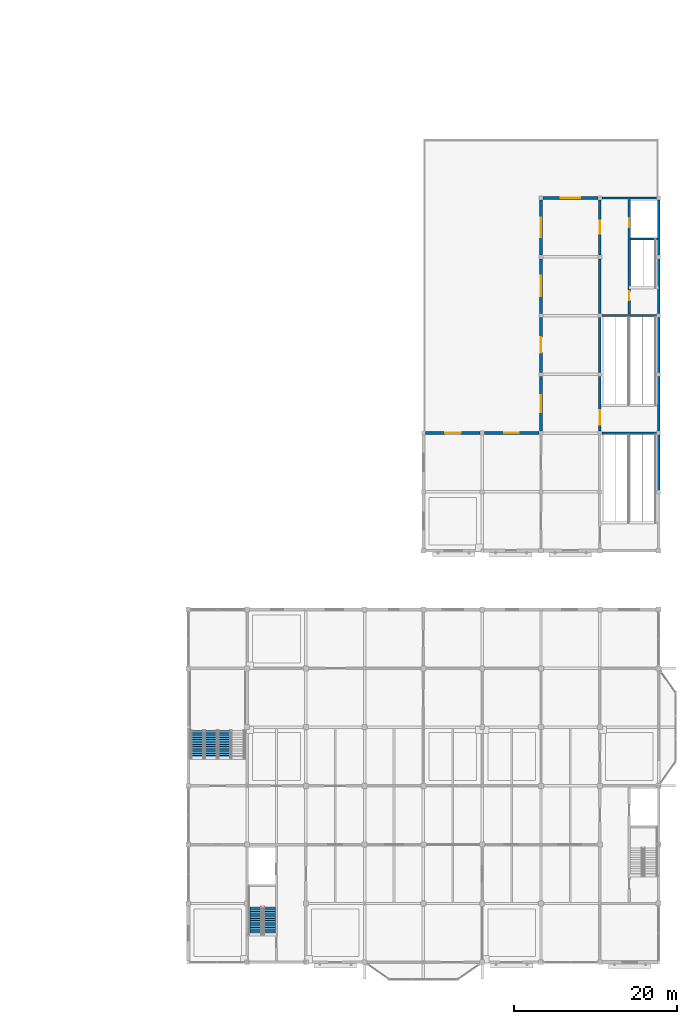
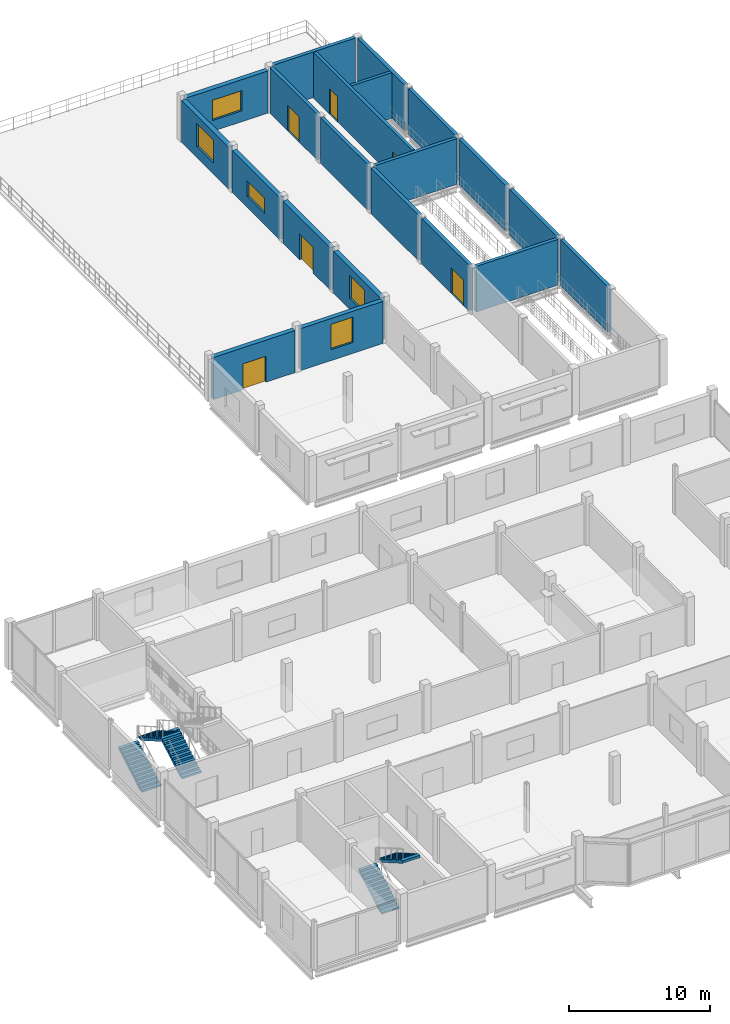
# One storey, part 40 of 51: 21 walls, 6 doors, 5 stair flights, 5 windows, 11 openings, 3 elements without a shape of their own.
"""IFC4 building model written with IfcOpenShell, lengths in metres."""

from ifc_helpers import new_model, si_unit, direction, frame, frame_2d, origin, place, context, subcontext, project, spatial, polyline, rectangle, outline, extrude, material, layer, layer_set, type_object, element, fill, aggregate, save


model = new_model("IFC4")

# Units and contexts
model_context = context("Model", 3, precision=1e-05, world=origin(), true_north=direction((0.0, 1.0)))
body_context = subcontext(model_context, "Body", "Model", "MODEL_VIEW")
ifc_project = project(units=[si_unit("LENGTHUNIT", "METRE"), si_unit("AREAUNIT", "SQUARE_METRE"), si_unit("VOLUMEUNIT", "CUBIC_METRE"), si_unit("PLANEANGLEUNIT", "RADIAN"), si_unit("MASSUNIT", "GRAM", prefix="KILO")], contexts=[model_context])

# Site, building, storey
site_placement = place(None, origin())
site = spatial("IfcSite", under=ifc_project, at=site_placement, CompositionType="ELEMENT")
building_placement = place(site_placement, origin())
building = spatial("IfcBuilding", under=site, at=building_placement, Name="Vesperath Aquatics Centre", CompositionType="ELEMENT")
storey_placement = place(building_placement, frame((0.0, 0.0, 15.0)))
storey = spatial("IfcBuildingStorey", under=building, at=storey_placement, Name="L03", CompositionType="ELEMENT", Elevation=15.0)

# Wall, opening, door
ifc_material_1 = material(Name="Red-terracotta brick insulated cavity wall", Category="masonry")
ifc_layer_1 = layer(ifc_material_1, 0.3798828125)
ifc_layer_set_1 = layer_set([ifc_layer_1], Name="Red-terracotta brick insulated cavity wall")
wall_type_1 = type_object("IfcWallType", Name="WL-EW02", PredefinedType="SOLIDWALL", material=ifc_layer_set_1)
wall_1_placement = place(storey_placement, frame((144.25, 64.800048828125, 0.0), z_axis=(0.0, 0.0, 1.0), x_axis=(1.0, 0.0, 0.0)))
wall_1 = element("IfcWall", 1, at=wall_1_placement, inside=storey, type_object=wall_type_1, Name="Exterior Wall EW02 L03_N_20_09", PredefinedType="SOLIDWALL", context=body_context, shape_type="SweptSolid", body=[
    extrude(rectangle(XDim=6.699951171875, YDim=0.3798828125, at=frame_2d((3.35009765625, 0.0))), origin(), (0.0, 0.0, 1.0), 3.64990234375),
])
opening_1_placement = place(wall_1_placement, frame((2.39990234375, 0.0, 0.0)))
opening_1 = element("IfcOpeningElement", 2, at=opening_1_placement, cuts=wall_1, Name="Opening TRD1", PredefinedType="OPENING", context=body_context, shape_type="SweptSolid", body=[
    extrude(rectangle(XDim=1.89990234375, YDim=2.25, at=frame_2d((0.949951171875, 1.125))), frame((0.0, 0.204833984375, 0.0), z_axis=(0.0, -1.0, 0.0), x_axis=(1.0, 0.0, 0.0)), (0.0, 0.0, 1.0), 0.40966796875),
])
ifc_material_2 = material(Name="Thermally broken bronze-anodised glazed aluminium door", Category="aluminium")
door_type_1 = type_object("IfcDoorType", Name="DR-TR01", OperationType="DOUBLE_SWING_LEFT", PredefinedType="DOOR", material=ifc_material_2)
door_1_placement = place(opening_1_placement, origin())
door_1 = element("IfcDoor", 3, at=door_1_placement, inside=storey, type_object=door_type_1, Name="Roof Terrace Access Door TRD1 L03_N_20_09", OperationType="DOUBLE_SWING_LEFT", OverallHeight=2.25, OverallWidth=1.89990234375, PredefinedType="DOOR", context=body_context, shape_type="SweptSolid", body=[
    extrude(rectangle(XDim=1.89990234375, YDim=2.25, at=frame_2d((0.949951171875, 1.125))), frame((0.0, 0.02490234375, 0.0), z_axis=(0.0, -1.0, 0.0), x_axis=(1.0, 0.0, 0.0)), (0.0, 0.0, 1.0), 0.050048828125),
])
fill(opening_1, door_1)

# Wall, opening, window
wall_2_placement = place(storey_placement, frame((158.64990234375, 93.60009765625, 0.0), z_axis=(0.0, 0.0, 1.0), x_axis=(1.0, 0.0, 0.0)))
wall_2 = element("IfcWall", 4, at=wall_2_placement, inside=storey, type_object=wall_type_1, Name="Exterior Wall EW02 L03_N_22_13", PredefinedType="SOLIDWALL", context=body_context, shape_type="SweptSolid", body=[
    extrude(rectangle(XDim=6.7001953125, YDim=0.3798828125, at=frame_2d((3.35009765625, 0.0))), origin(), (0.0, 0.0, 1.0), 3.64990234375),
])
opening_2_placement = place(wall_2_placement, frame((2.14990234375, 0.0, 0.949951171875)))
opening_2 = element("IfcOpeningElement", 5, at=opening_2_placement, cuts=wall_2, Name="Opening W10", PredefinedType="OPENING", context=body_context, shape_type="SweptSolid", body=[
    extrude(rectangle(XDim=2.39990234375, YDim=1.75, at=frame_2d((1.199951171875, 0.875))), frame((0.0, 0.204833984375, 0.0), z_axis=(0.0, -1.0, 0.0), x_axis=(1.0, 0.0, 0.0)), (0.0, 0.0, 1.0), 0.40966796875),
])
ifc_material_3 = material(Name="Thermally broken aluminium triple-glazed window", Category="aluminium")
window_type_1 = type_object("IfcWindowType", Name="WN-W10", PartitioningType="SINGLE_PANEL", PredefinedType="WINDOW", material=ifc_material_3)
window_1_placement = place(opening_2_placement, origin())
window_1 = element("IfcWindow", 6, at=window_1_placement, inside=storey, type_object=window_type_1, Name="Deep-Reveal Casement Window W10 L03_N_22_13", OverallHeight=1.75, OverallWidth=2.39990234375, PartitioningType="SINGLE_PANEL", PredefinedType="WINDOW", context=body_context, shape_type="SweptSolid", body=[
    extrude(rectangle(XDim=2.39990234375, YDim=1.75, at=frame_2d((1.199951171875, 0.875))), frame((0.0, 0.030029296875, 0.0), z_axis=(0.0, -1.0, 0.0), x_axis=(1.0, 0.0, 0.0)), (0.0, 0.0, 1.0), 0.06005859375),
])
fill(opening_2, window_1)

wall_3_placement = place(storey_placement, frame((158.39990234375, 65.050048828125, 0.0), z_axis=(0.0, 0.0, 1.0), x_axis=(0.0, 1.0, 0.0)))
wall_3 = element("IfcWall", 7, at=wall_3_placement, inside=storey, type_object=wall_type_1, Name="Exterior Wall EW02 L03_W_22_09", PredefinedType="SOLIDWALL", context=body_context, shape_type="SweptSolid", body=[
    extrude(rectangle(XDim=6.699951171875, YDim=0.3798828125, at=frame_2d((3.35009765625, 0.0))), origin(), (0.0, 0.0, 1.0), 3.64990234375),
])
opening_3_placement = place(wall_3_placement, frame((2.300048828125, 0.0, 0.949951171875)))
opening_3 = element("IfcOpeningElement", 8, at=opening_3_placement, cuts=wall_3, Name="Opening W06", PredefinedType="OPENING", context=body_context, shape_type="SweptSolid", body=[
    extrude(rectangle(XDim=2.10009765625, YDim=2.0, at=frame_2d((1.050048828125, 1.0))), frame((0.0, 0.204833984375, 0.0), z_axis=(0.0, -1.0, 0.0), x_axis=(1.0, 0.0, 0.0)), (0.0, 0.0, 1.0), 0.40966796875),
])
window_type_2 = type_object("IfcWindowType", Name="WN-W06", PartitioningType="SINGLE_PANEL", PredefinedType="WINDOW", material=ifc_material_3)
window_2_placement = place(opening_3_placement, origin())
window_2 = element("IfcWindow", 9, at=window_2_placement, inside=storey, type_object=window_type_2, Name="Deep-Reveal Casement Window W06 L03_W_22_09", OverallHeight=2.0, OverallWidth=2.10009765625, PartitioningType="SINGLE_PANEL", PredefinedType="WINDOW", context=body_context, shape_type="SweptSolid", body=[
    extrude(rectangle(XDim=2.10009765625, YDim=2.0, at=frame_2d((1.050048828125, 1.0))), frame((0.0, 0.030029296875, 0.0), z_axis=(0.0, -1.0, 0.0), x_axis=(1.0, 0.0, 0.0)), (0.0, 0.0, 1.0), 0.06005859375),
])
fill(opening_3, window_2)

# Wall, opening, door
wall_4_placement = place(storey_placement, frame((158.39990234375, 72.25, 0.0), z_axis=(0.0, 0.0, 1.0), x_axis=(0.0, 1.0, 0.0)))
wall_4 = element("IfcWall", 10, at=wall_4_placement, inside=storey, type_object=wall_type_1, Name="Exterior Wall EW02 L03_W_22_10", PredefinedType="SOLIDWALL", context=body_context, shape_type="SweptSolid", body=[
    extrude(rectangle(XDim=6.699951171875, YDim=0.3798828125, at=frame_2d((3.35009765625, 0.0))), origin(), (0.0, 0.0, 1.0), 3.64990234375),
])
opening_4_placement = place(wall_4_placement, frame((2.39990234375, 0.0, 0.0)))
opening_4 = element("IfcOpeningElement", 11, at=opening_4_placement, cuts=wall_4, Name="Opening TRD1", PredefinedType="OPENING", context=body_context, shape_type="SweptSolid", body=[
    extrude(rectangle(XDim=1.89990234375, YDim=2.25, at=frame_2d((0.949951171875, 1.125))), frame((0.0, 0.204833984375, 0.0), z_axis=(0.0, -1.0, 0.0), x_axis=(1.0, 0.0, 0.0)), (0.0, 0.0, 1.0), 0.40966796875),
])
door_2_placement = place(opening_4_placement, origin())
door_2 = element("IfcDoor", 12, at=door_2_placement, inside=storey, type_object=door_type_1, Name="Roof Terrace Access Door TRD1 L03_W_22_10", OperationType="DOUBLE_SWING_LEFT", OverallHeight=2.25, OverallWidth=1.89990234375, PredefinedType="DOOR", context=body_context, shape_type="SweptSolid", body=[
    extrude(rectangle(XDim=1.89990234375, YDim=2.25, at=frame_2d((0.949951171875, 1.125))), frame((0.0, 0.02490234375, 0.0), z_axis=(0.0, -1.0, 0.0), x_axis=(1.0, 0.0, 0.0)), (0.0, 0.0, 1.0), 0.050048828125),
])
fill(opening_4, door_2)

# Wall, opening, window
wall_5_placement = place(storey_placement, frame((158.39990234375, 86.64990234375, 0.0), z_axis=(0.0, 0.0, 1.0), x_axis=(0.0, 1.0, 0.0)))
wall_5 = element("IfcWall", 13, at=wall_5_placement, inside=storey, type_object=wall_type_1, Name="Exterior Wall EW02 L03_W_22_12", PredefinedType="SOLIDWALL", context=body_context, shape_type="SweptSolid", body=[
    extrude(rectangle(XDim=6.7001953125, YDim=0.3798828125, at=frame_2d((3.35009765625, 0.0))), origin(), (0.0, 0.0, 1.0), 3.64990234375),
])
opening_5_placement = place(wall_5_placement, frame((2.14990234375, 0.0, 0.949951171875)))
opening_5 = element("IfcOpeningElement", 14, at=opening_5_placement, cuts=wall_5, Name="Opening W05", PredefinedType="OPENING", context=body_context, shape_type="SweptSolid", body=[
    extrude(rectangle(XDim=2.39990234375, YDim=2.0, at=frame_2d((1.199951171875, 1.0))), frame((0.0, 0.204833984375, 0.0), z_axis=(0.0, -1.0, 0.0), x_axis=(1.0, 0.0, 0.0)), (0.0, 0.0, 1.0), 0.40966796875),
])
window_type_3 = type_object("IfcWindowType", Name="WN-W05", PartitioningType="SINGLE_PANEL", PredefinedType="WINDOW", material=ifc_material_3)
window_3_placement = place(opening_5_placement, origin())
window_3 = element("IfcWindow", 15, at=window_3_placement, inside=storey, type_object=window_type_3, Name="Deep-Reveal Casement Window W05 L03_W_22_12", OverallHeight=2.0, OverallWidth=2.39990234375, PartitioningType="SINGLE_PANEL", PredefinedType="WINDOW", context=body_context, shape_type="SweptSolid", body=[
    extrude(rectangle(XDim=2.39990234375, YDim=2.0, at=frame_2d((1.199951171875, 1.0))), frame((0.0, 0.030029296875, 0.0), z_axis=(0.0, -1.0, 0.0), x_axis=(1.0, 0.0, 0.0)), (0.0, 0.0, 1.0), 0.06005859375),
])
fill(opening_5, window_3)

ifc_material_4 = material(Name="Glazed majolica and brick insulated cavity wall", Category="masonry")
ifc_layer_2 = layer(ifc_material_4, 0.360107421875)
ifc_layer_set_2 = layer_set([ifc_layer_2], Name="Glazed majolica and brick insulated cavity wall")
wall_type_2 = type_object("IfcWallType", Name="WL-EW03", PredefinedType="SOLIDWALL", material=ifc_layer_set_2)
wall_6_placement = place(storey_placement, frame((151.449951171875, 64.800048828125, 0.0), z_axis=(0.0, 0.0, 1.0), x_axis=(1.0, 0.0, 0.0)))
wall_6 = element("IfcWall", 16, at=wall_6_placement, inside=storey, type_object=wall_type_2, Name="Exterior Wall EW03 L03_N_21_09", PredefinedType="SOLIDWALL", context=body_context, shape_type="SweptSolid", body=[
    extrude(rectangle(XDim=6.699951171875, YDim=0.360107421875, at=frame_2d((3.35009765625, 0.0))), origin(), (0.0, 0.0, 1.0), 3.64990234375),
])
opening_6_placement = place(wall_6_placement, frame((2.449951171875, 0.0, 0.949951171875)))
opening_6 = element("IfcOpeningElement", 17, at=opening_6_placement, cuts=wall_6, Name="Opening W03", PredefinedType="OPENING", context=body_context, shape_type="SweptSolid", body=[
    extrude(rectangle(XDim=1.800048828125, YDim=2.199951171875, at=frame_2d((0.89990234375, 1.10009765625))), frame((0.0, 0.19482421875, 0.0), z_axis=(0.0, -1.0, 0.0), x_axis=(1.0, 0.0, 0.0)), (0.0, 0.0, 1.0), 0.389892578125),
])
window_type_4 = type_object("IfcWindowType", Name="WN-W03", PartitioningType="SINGLE_PANEL", PredefinedType="WINDOW", material=ifc_material_3)
window_4_placement = place(opening_6_placement, origin())
window_4 = element("IfcWindow", 18, at=window_4_placement, inside=storey, type_object=window_type_4, Name="Deep-Reveal Casement Window W03 L03_N_21_09", OverallHeight=2.199951171875, OverallWidth=1.800048828125, PartitioningType="SINGLE_PANEL", PredefinedType="WINDOW", context=body_context, shape_type="SweptSolid", body=[
    extrude(rectangle(XDim=1.800048828125, YDim=2.199951171875, at=frame_2d((0.89990234375, 1.10009765625))), frame((0.0, 0.030029296875, 0.0), z_axis=(0.0, -1.0, 0.0), x_axis=(1.0, 0.0, 0.0)), (0.0, 0.0, 1.0), 0.06005859375),
])
fill(opening_6, window_4)

wall_7_placement = place(storey_placement, frame((158.39990234375, 79.449951171875, 0.0), z_axis=(0.0, 0.0, 1.0), x_axis=(0.0, 1.0, 0.0)))
wall_7 = element("IfcWall", 19, at=wall_7_placement, inside=storey, type_object=wall_type_2, Name="Exterior Wall EW03 L03_W_22_11", PredefinedType="SOLIDWALL", context=body_context, shape_type="SweptSolid", body=[
    extrude(rectangle(XDim=6.699951171875, YDim=0.360107421875, at=frame_2d((3.35009765625, 0.0))), origin(), (0.0, 0.0, 1.0), 3.64990234375),
])
opening_7_placement = place(wall_7_placement, frame((2.10009765625, 0.0, 0.949951171875)))
opening_7 = element("IfcOpeningElement", 20, at=opening_7_placement, cuts=wall_7, Name="Opening W16", PredefinedType="OPENING", context=body_context, shape_type="SweptSolid", body=[
    extrude(rectangle(XDim=2.5, YDim=1.35009765625, at=frame_2d((1.25, 0.675048828125))), frame((0.0, 0.19482421875, 0.0), z_axis=(0.0, -1.0, 0.0), x_axis=(1.0, 0.0, 0.0)), (0.0, 0.0, 1.0), 0.389892578125),
])
window_type_5 = type_object("IfcWindowType", Name="WN-W16", PartitioningType="SINGLE_PANEL", PredefinedType="WINDOW", material=ifc_material_3)
window_5_placement = place(opening_7_placement, origin())
window_5 = element("IfcWindow", 21, at=window_5_placement, inside=storey, type_object=window_type_5, Name="Deep-Reveal Casement Window W16 L03_W_22_11", OverallHeight=1.35009765625, OverallWidth=2.5, PartitioningType="SINGLE_PANEL", PredefinedType="WINDOW", context=body_context, shape_type="SweptSolid", body=[
    extrude(rectangle(XDim=2.5, YDim=1.35009765625, at=frame_2d((1.25, 0.675048828125))), frame((0.0, 0.030029296875, 0.0), z_axis=(0.0, -1.0, 0.0), x_axis=(1.0, 0.0, 0.0)), (0.0, 0.0, 1.0), 0.06005859375),
])
fill(opening_7, window_5)

# Wall, opening, door
ifc_material_5 = material(Name="Concrete C40", Category="concrete")
ifc_layer_3 = layer(ifc_material_5, 0.300048828125)
ifc_layer_set_3 = layer_set([ifc_layer_3], Name="Concrete C40")
wall_type_3 = type_object("IfcWallType", Name="WL-SW01", PredefinedType="SHEAR", material=ifc_layer_set_3)
wall_8_placement = place(storey_placement, frame((165.60009765625, 65.050048828125, 0.0), z_axis=(0.0, 0.0, 1.0), x_axis=(0.0, 1.0, 0.0)))
wall_8 = element("IfcWall", 22, at=wall_8_placement, inside=storey, type_object=wall_type_3, Name="Core C13 West-1 Shear Wall SW01 L03", PredefinedType="SHEAR", context=body_context, shape_type="SweptSolid", body=[
    extrude(rectangle(XDim=6.699951171875, YDim=0.300048828125, at=frame_2d((3.35009765625, 0.0))), origin(), (0.0, 0.0, 1.0), 3.9599609375),
])
opening_8_placement = place(wall_8_placement, frame((0.75, 0.0, 0.0)))
opening_8 = element("IfcOpeningElement", 23, at=opening_8_placement, cuts=wall_8, Name="Opening D03", PredefinedType="OPENING", context=body_context, shape_type="SweptSolid", body=[
    extrude(rectangle(XDim=1.800048828125, YDim=2.199951171875, at=frame_2d((0.89990234375, 1.10009765625))), frame((0.0, 0.1650390625, 0.0), z_axis=(0.0, -1.0, 0.0), x_axis=(1.0, 0.0, 0.0)), (0.0, 0.0, 1.0), 0.329833984375),
])
ifc_material_6 = material(Name="Corridor smoke-control double fire door", Category="steel")
door_type_2 = type_object("IfcDoorType", Name="DR-FD03", OperationType="DOUBLE_SWING_LEFT", PredefinedType="DOOR", material=ifc_material_6)
door_3_placement = place(opening_8_placement, frame((1.800048828125, 0.0, 0.0), z_axis=(0.0, 0.0, 1.0), x_axis=(-1.0, 0.0, 0.0)))
door_3 = element("IfcDoor", 24, at=door_3_placement, inside=storey, type_object=door_type_2, Name="Stair ST13 Fire Door D03 L03", OperationType="DOUBLE_SWING_LEFT", OverallHeight=2.199951171875, OverallWidth=1.800048828125, PredefinedType="DOOR", context=body_context, shape_type="SweptSolid", body=[
    extrude(rectangle(XDim=1.800048828125, YDim=2.199951171875, at=frame_2d((0.89990234375, 1.10009765625))), frame((0.0, 0.02490234375, 0.0), z_axis=(0.0, -1.0, 0.0), x_axis=(1.0, 0.0, 0.0)), (0.0, 0.0, 1.0), 0.050048828125),
])
fill(opening_8, door_3)

# Walls
wall_9_placement = place(storey_placement, frame((165.60009765625, 72.25, 0.0), z_axis=(0.0, 0.0, 1.0), x_axis=(0.0, 1.0, 0.0)))
element("IfcWall", 25, at=wall_9_placement, inside=storey, type_object=wall_type_3, Name="Core C13 West-2 Shear Wall SW01 L03", PredefinedType="SHEAR", context=body_context, shape_type="SweptSolid", body=[
    extrude(rectangle(XDim=6.699951171875, YDim=0.300048828125, at=frame_2d((3.35009765625, 0.0))), origin(), (0.0, 0.0, 1.0), 3.9599609375),
])
ifc_layer_4 = layer(ifc_material_5, 0.280029296875)
ifc_layer_set_4 = layer_set([ifc_layer_4], Name="Concrete C40")
wall_type_4 = type_object("IfcWallType", Name="WL-SW02", PredefinedType="SHEAR", material=ifc_layer_set_4)
for number, where, z_axis, x_axis, name in (
    (26, (165.85009765625, 79.199951171875, 0.0), (0.0, 0.0, 1.0), (1.0, 0.0, 0.0), "Core C4 South Shear Wall SW02 L03"),
    (27, (165.60009765625, 79.449951171875, 0.0), (0.0, 0.0, 1.0), (0.0, 1.0, 0.0), "Core C4 West-1 Shear Wall SW02 L03"),
):
    element("IfcWall", number, at=place(storey_placement, frame(where, z_axis=z_axis, x_axis=x_axis)), inside=storey, type_object=wall_type_4, Name=name, PredefinedType="SHEAR", context=body_context, shape_type="SweptSolid", body=[
        extrude(rectangle(XDim=6.699951171875, YDim=0.280029296875, at=frame_2d((3.35009765625, 0.0))), origin(), (0.0, 0.0, 1.0), 3.9599609375),
    ])

# Wall, opening, door
wall_10_placement = place(storey_placement, frame((165.60009765625, 86.64990234375, 0.0), z_axis=(0.0, 0.0, 1.0), x_axis=(0.0, 1.0, 0.0)))
wall_10 = element("IfcWall", 28, at=wall_10_placement, inside=storey, type_object=wall_type_4, Name="Core C4 West-2 Shear Wall SW02 L03", PredefinedType="SHEAR", context=body_context, shape_type="SweptSolid", body=[
    extrude(rectangle(XDim=6.7001953125, YDim=0.280029296875, at=frame_2d((3.35009765625, 0.0))), origin(), (0.0, 0.0, 1.0), 3.9599609375),
])
opening_9_placement = place(wall_10_placement, frame((2.550048828125, 0.0, 0.0)))
opening_9 = element("IfcOpeningElement", 29, at=opening_9_placement, cuts=wall_10, Name="Opening D02", PredefinedType="OPENING", context=body_context, shape_type="SweptSolid", body=[
    extrude(rectangle(XDim=1.60009765625, YDim=2.199951171875, at=frame_2d((0.800048828125, 1.10009765625))), frame((0.0, 0.15478515625, 0.0), z_axis=(0.0, -1.0, 0.0), x_axis=(1.0, 0.0, 0.0)), (0.0, 0.0, 1.0), 0.309814453125),
])
ifc_material_7 = material(Name="Glazed fire-rated lobby double door", Category="steel")
door_type_3 = type_object("IfcDoorType", Name="DR-FD02", OperationType="DOUBLE_SWING_LEFT", PredefinedType="DOOR", material=ifc_material_7)
door_4_placement = place(opening_9_placement, origin())
door_4 = element("IfcDoor", 30, at=door_4_placement, inside=storey, type_object=door_type_3, Name="Core C4 Lobby Fire Door D02 L03", OperationType="DOUBLE_SWING_LEFT", OverallHeight=2.199951171875, OverallWidth=1.60009765625, PredefinedType="DOOR", context=body_context, shape_type="SweptSolid", body=[
    extrude(rectangle(XDim=1.60009765625, YDim=2.199951171875, at=frame_2d((0.800048828125, 1.10009765625))), frame((0.0, 0.02490234375, 0.0), z_axis=(0.0, -1.0, 0.0), x_axis=(1.0, 0.0, 0.0)), (0.0, 0.0, 1.0), 0.050048828125),
])
fill(opening_9, door_4)

# Wall
wall_11_placement = place(storey_placement, frame((165.85009765625, 64.800048828125, 0.0), z_axis=(0.0, 0.0, 1.0), x_axis=(1.0, 0.0, 0.0)))
element("IfcWall", 31, at=wall_11_placement, inside=storey, type_object=wall_type_4, Name="Core C12 North Shear Wall SW02 L03", PredefinedType="SHEAR", context=body_context, shape_type="SweptSolid", body=[
    extrude(rectangle(XDim=6.699951171875, YDim=0.280029296875, at=frame_2d((3.35009765625, 0.0))), origin(), (0.0, 0.0, 1.0), 3.9599609375),
])

# Wall, openings, doors
ifc_layer_5 = layer(ifc_material_5, 0.260009765625)
ifc_layer_set_5 = layer_set([ifc_layer_5], Name="Concrete C40")
wall_type_5 = type_object("IfcWallType", Name="WL-SW03", PredefinedType="SHEAR", material=ifc_layer_set_5)
wall_12_placement = place(storey_placement, frame((169.199951171875, 79.39990234375, 0.0), z_axis=(0.0, 0.0, 1.0), x_axis=(0.0, 1.0, 0.0)))
wall_12 = element("IfcWall", 32, at=wall_12_placement, inside=storey, type_object=wall_type_5, Name="Core C4 Spine Shear Wall SW03 L03", PredefinedType="SHEAR", context=body_context, shape_type="SweptSolid", body=[
    extrude(rectangle(XDim=14.0, YDim=0.260009765625, at=frame_2d((7.0, 0.0))), origin(), (0.0, 0.0, 1.0), 3.9599609375),
])
opening_10_placement = place(wall_12_placement, frame((1.64990234375, 0.0, 0.0)))
opening_10 = element("IfcOpeningElement", 33, at=opening_10_placement, cuts=wall_12, Name="Opening D01", PredefinedType="OPENING", context=body_context, shape_type="SweptSolid", body=[
    extrude(rectangle(XDim=1.10009765625, YDim=2.14990234375, at=frame_2d((0.550048828125, 1.074951171875))), frame((0.0, 0.14501953125, 0.0), z_axis=(0.0, -1.0, 0.0), x_axis=(1.0, 0.0, 0.0)), (0.0, 0.0, 1.0), 0.289794921875),
])
opening_11_placement = place(wall_12_placement, frame((10.60009765625, 0.0, 0.0)))
opening_11 = element("IfcOpeningElement", 34, at=opening_11_placement, cuts=wall_12, Name="Opening LD02", PredefinedType="OPENING", context=body_context, shape_type="SweptSolid", body=[
    extrude(rectangle(XDim=1.14990234375, YDim=2.199951171875, at=frame_2d((0.574951171875, 1.10009765625))), frame((0.0, 0.14501953125, 0.0), z_axis=(0.0, -1.0, 0.0), x_axis=(1.0, 0.0, 0.0)), (0.0, 0.0, 1.0), 0.289794921875),
])
ifc_material_8 = material(Name="Steel-faced acoustic fire door", Category="steel")
door_type_4 = type_object("IfcDoorType", Name="DR-FD01", OperationType="NOTDEFINED", PredefinedType="DOOR", material=ifc_material_8)
door_5_placement = place(opening_10_placement, frame((1.10009765625, 0.0, 0.0), z_axis=(0.0, 0.0, 1.0), x_axis=(-1.0, 0.0, 0.0)))
door_5 = element("IfcDoor", 35, at=door_5_placement, inside=storey, type_object=door_type_4, Name="Stair ST4 Fire Door D01 L03", OperationType="SINGLE_SWING_LEFT", OverallHeight=2.14990234375, OverallWidth=1.10009765625, PredefinedType="DOOR", context=body_context, shape_type="SweptSolid", body=[
    extrude(rectangle(XDim=1.10009765625, YDim=2.14990234375, at=frame_2d((0.550048828125, 1.074951171875))), frame((0.0, 0.02490234375, 0.0), z_axis=(0.0, -1.0, 0.0), x_axis=(1.0, 0.0, 0.0)), (0.0, 0.0, 1.0), 0.050048828125),
])
fill(opening_10, door_5)
ifc_material_9 = material(Name="Brushed stainless steel lift landing door", Category="steel")
door_type_5 = type_object("IfcDoorType", Name="DR-LD02", OperationType="SLIDING_TO_RIGHT", PredefinedType="DOOR", material=ifc_material_9)
door_6_placement = place(opening_11_placement, origin())
door_6 = element("IfcDoor", 36, at=door_6_placement, inside=storey, type_object=door_type_5, Name="Lift LFT-P3 Sliding Landing Door LD02 L03", OperationType="SLIDING_TO_RIGHT", OverallHeight=2.199951171875, OverallWidth=1.14990234375, PredefinedType="DOOR", context=body_context, shape_type="SweptSolid", body=[
    extrude(rectangle(XDim=1.14990234375, YDim=2.199951171875, at=frame_2d((0.574951171875, 1.10009765625))), frame((0.0, 0.02490234375, 0.0), z_axis=(0.0, -1.0, 0.0), x_axis=(1.0, 0.0, 0.0)), (0.0, 0.0, 1.0), 0.050048828125),
])
fill(opening_11, door_6)

# Walls
ifc_layer_6 = layer(ifc_material_5, 0.25)
ifc_layer_set_6 = layer_set([ifc_layer_6], Name="Concrete C40")
wall_type_6 = type_object("IfcWallType", Name="WL-SW04", PredefinedType="SHEAR", material=ifc_layer_set_6)
wall_13_placement = place(storey_placement, frame((169.340087890625, 88.580078125, 0.0), z_axis=(0.0, 0.0, 1.0), x_axis=(1.0, 0.0, 0.0)))
element("IfcWall", 37, at=wall_13_placement, inside=storey, type_object=wall_type_6, Name="Core C4 Lift Shaft Wall SW04 L03", PredefinedType="SHEAR", context=body_context, shape_type="SweptSolid", body=[
    extrude(rectangle(XDim=3.2998046875, YDim=0.25, at=frame_2d((1.64990234375, 0.0))), origin(), (0.0, 0.0, 1.0), 3.9599609375),
])
ifc_layer_7 = layer(ifc_material_5, 0.31005859375)
ifc_layer_set_7 = layer_set([ifc_layer_7], Name="Concrete C40")
wall_type_7 = type_object("IfcWallType", Name="WL-SW05", PredefinedType="SHEAR", material=ifc_layer_set_7)
for number, where, z_axis, x_axis, name in (
    (38, (172.800048828125, 65.050048828125, 0.0), (0.0, 0.0, 1.0), (0.0, 1.0, 0.0), "Core C13 East-1 Shear Wall SW05 L03"),
    (39, (172.800048828125, 72.25, 0.0), (0.0, 0.0, 1.0), (0.0, 1.0, 0.0), "Core C13 East-2 Shear Wall SW05 L03"),
):
    element("IfcWall", number, at=place(storey_placement, frame(where, z_axis=z_axis, x_axis=x_axis)), inside=storey, type_object=wall_type_7, Name=name, PredefinedType="SHEAR", context=body_context, shape_type="SweptSolid", body=[
        extrude(rectangle(XDim=6.699951171875, YDim=0.31005859375, at=frame_2d((3.35009765625, 0.0))), origin(), (0.0, 0.0, 1.0), 3.9599609375),
    ])
ifc_layer_8 = layer(ifc_material_5, 0.2900390625)
ifc_layer_set_8 = layer_set([ifc_layer_8], Name="Concrete C40")
wall_type_8 = type_object("IfcWallType", Name="WL-SW06", PredefinedType="SHEAR", material=ifc_layer_set_8)
for number, where, z_axis, x_axis, name in (
    (40, (165.85009765625, 93.60009765625, 0.0), (0.0, 0.0, 1.0), (1.0, 0.0, 0.0), "Core C4 North Shear Wall SW06 L03"),
    (41, (172.800048828125, 79.449951171875, 0.0), (0.0, 0.0, 1.0), (0.0, 1.0, 0.0), "Core C4 East-1 Shear Wall SW06 L03"),
):
    element("IfcWall", number, at=place(storey_placement, frame(where, z_axis=z_axis, x_axis=x_axis)), inside=storey, type_object=wall_type_8, Name=name, PredefinedType="SHEAR", context=body_context, shape_type="SweptSolid", body=[
        extrude(rectangle(XDim=6.699951171875, YDim=0.2900390625, at=frame_2d((3.35009765625, 0.0))), origin(), (0.0, 0.0, 1.0), 3.9599609375),
    ])
wall_14_placement = place(storey_placement, frame((172.800048828125, 86.64990234375, 0.0), z_axis=(0.0, 0.0, 1.0), x_axis=(0.0, 1.0, 0.0)))
element("IfcWall", 42, at=wall_14_placement, inside=storey, type_object=wall_type_8, Name="Core C4 East-2 Shear Wall SW06 L03", PredefinedType="SHEAR", context=body_context, shape_type="SweptSolid", body=[
    extrude(rectangle(XDim=6.7001953125, YDim=0.2900390625, at=frame_2d((3.35009765625, 0.0))), origin(), (0.0, 0.0, 1.0), 3.9599609375),
])
wall_15_placement = place(storey_placement, frame((172.800048828125, 57.85009765625, 0.0), z_axis=(0.0, 0.0, 1.0), x_axis=(0.0, 1.0, 0.0)))
element("IfcWall", 43, at=wall_15_placement, inside=storey, type_object=wall_type_8, Name="Core C12 East-2 Shear Wall SW06 L03", PredefinedType="SHEAR", context=body_context, shape_type="SweptSolid", body=[
    extrude(rectangle(XDim=6.699951171875, YDim=0.2900390625, at=frame_2d((3.35009765625, 0.0))), origin(), (0.0, 0.0, 1.0), 3.9599609375),
])

# Stair, stair flights
ifc_material_10 = material(Name="Concrete C35", Category="concrete")
stair_type_1 = type_object("IfcStairType", Name="ST-HT42", PredefinedType="HALF_TURN_STAIR", material=ifc_material_10)
stair_1_placement = place(storey_placement, origin())
stair_1 = element("IfcStair", 44, at=stair_1_placement, inside=storey, type_object=stair_type_1, Name="Enclosed Exit Stair ST5 L03", PredefinedType="HALF_TURN_STAIR")
stair_flight_type_1 = type_object("IfcStairFlightType", Name="SF-F42", PredefinedType="STRAIGHT", material=ifc_material_10)
stair_flight_1_placement = place(storey_placement, frame((123.469970703125, 3.419921875, 0.0), z_axis=(0.0, 0.0, 1.0), x_axis=(0.0, 1.0, 0.0)))
stair_flight_1 = element("IfcStairFlight", 45, at=stair_flight_1_placement, type_object=stair_flight_type_1, Name="Stair ST5 Flight 1 L03", NumberOfRisers=13, NumberOfTreads=12, PredefinedType="STRAIGHT", RiserHeight=0.161538, TreadLength=0.28, context=body_context, shape_type="SweptSolid", body=[
    extrude(outline(polyline([(0.0, 0.0), (0.0, 0.16162109375), (0.280029296875, 0.16162109375), (0.280029296875, 0.322998046875), (0.56005859375, 0.322998046875), (0.56005859375, 0.484619140625), (0.840087890625, 0.484619140625), (0.840087890625, 0.646240234375), (1.1201171875, 0.646240234375), (1.1201171875, 0.8076171875), (1.39990234375, 0.8076171875), (1.39990234375, 0.96923828125), (1.679931640625, 0.96923828125), (1.679931640625, 1.130859375), (1.9599609375, 1.130859375), (1.9599609375, 1.292236328125), (2.239990234375, 1.292236328125), (2.239990234375, 1.453857421875), (2.52001953125, 1.453857421875), (2.52001953125, 1.615478515625), (2.800048828125, 1.615478515625), (2.800048828125, 1.77685546875), (3.080078125, 1.77685546875), (3.080078125, 1.9384765625), (3.360107421875, 1.9384765625), (3.360107421875, 2.10009765625), (3.360107421875, 1.730712890625), (0.360107421875, 0.0), (0.0, 0.0)])), frame((0.0, 0.719970703125, 0.0), z_axis=(0.0, -1.0, 0.0), x_axis=(1.0, 0.0, 0.0)), (0.0, 0.0, 1.0), 1.43994140625),
])
stair_flight_2_placement = place(storey_placement, frame((125.14990234375, 6.780029296875, 2.10009765625), z_axis=(0.0, 0.0, 1.0), x_axis=(0.0, -1.0, 0.0)))
stair_flight_2 = element("IfcStairFlight", 46, at=stair_flight_2_placement, type_object=stair_flight_type_1, Name="Stair ST5 Flight 2 L03", NumberOfRisers=13, NumberOfTreads=12, PredefinedType="STRAIGHT", RiserHeight=0.161538, TreadLength=0.28, context=body_context, shape_type="SweptSolid", body=[
    extrude(outline(polyline([(0.0, 0.0), (0.0, 0.16162109375), (0.280029296875, 0.16162109375), (0.280029296875, 0.322998046875), (0.56005859375, 0.322998046875), (0.56005859375, 0.484619140625), (0.840087890625, 0.484619140625), (0.840087890625, 0.646240234375), (1.1201171875, 0.646240234375), (1.1201171875, 0.8076171875), (1.39990234375, 0.8076171875), (1.39990234375, 0.96923828125), (1.679931640625, 0.96923828125), (1.679931640625, 1.130859375), (1.9599609375, 1.130859375), (1.9599609375, 1.292236328125), (2.239990234375, 1.292236328125), (2.239990234375, 1.453857421875), (2.52001953125, 1.453857421875), (2.52001953125, 1.615478515625), (2.800048828125, 1.615478515625), (2.800048828125, 1.77685546875), (3.080078125, 1.77685546875), (3.080078125, 1.9384765625), (3.360107421875, 1.9384765625), (3.360107421875, 2.10009765625), (3.360107421875, 1.730712890625), (0.360107421875, 0.0), (0.0, 0.0)])), frame((0.0, 0.719970703125, 0.0), z_axis=(0.0, -1.0, 0.0), x_axis=(1.0, 0.0, 0.0)), (0.0, 0.0, 1.0), 1.43994140625),
])
aggregate(stair_1, [stair_flight_1, stair_flight_2])

stair_type_2 = type_object("IfcStairType", Name="ST-HW42", PredefinedType="HALF_TURN_STAIR", material=ifc_material_10)
stair_2_placement = place(storey_placement, origin())
stair_2 = element("IfcStair", 47, at=stair_2_placement, inside=storey, type_object=stair_type_2, Name="Enclosed Exit Stair ST7A L03", PredefinedType="HALF_TURN_STAIR")
stair_flight_type_2 = type_object("IfcStairFlightType", Name="SF-W42", PredefinedType="STRAIGHT", material=ifc_material_10)
stair_flight_3_placement = place(storey_placement, frame((116.324951171875, 25.02001953125, 0.0), z_axis=(0.0, 0.0, 1.0), x_axis=(0.0, 1.0, 0.0)))
stair_flight_3 = element("IfcStairFlight", 48, at=stair_flight_3_placement, type_object=stair_flight_type_2, Name="Stair ST7A Flight 1 L03", NumberOfRisers=13, NumberOfTreads=12, PredefinedType="STRAIGHT", RiserHeight=0.161538, TreadLength=0.28, context=body_context, shape_type="SweptSolid", body=[
    extrude(outline(polyline([(0.0, 0.0), (0.0, 0.16162109375), (0.280029296875, 0.16162109375), (0.280029296875, 0.322998046875), (0.56005859375, 0.322998046875), (0.56005859375, 0.484619140625), (0.840087890625, 0.484619140625), (0.840087890625, 0.646240234375), (1.1201171875, 0.646240234375), (1.1201171875, 0.8076171875), (1.39990234375, 0.8076171875), (1.39990234375, 0.96923828125), (1.679931640625, 0.96923828125), (1.679931640625, 1.130859375), (1.9599609375, 1.130859375), (1.9599609375, 1.292236328125), (2.239990234375, 1.292236328125), (2.239990234375, 1.453857421875), (2.52001953125, 1.453857421875), (2.52001953125, 1.615478515625), (2.800048828125, 1.615478515625), (2.800048828125, 1.77685546875), (3.080078125, 1.77685546875), (3.080078125, 1.9384765625), (3.360107421875, 1.9384765625), (3.360107421875, 2.10009765625), (3.360107421875, 1.730712890625), (0.360107421875, 0.0), (0.0, 0.0)])), frame((0.0, 0.78515625, 0.0), z_axis=(0.0, -1.0, 0.0), x_axis=(1.0, 0.0, 0.0)), (0.0, 0.0, 1.0), 1.570068359375),
])
stair_flight_4_placement = place(storey_placement, frame((117.97509765625, 28.3798828125, 2.10009765625), z_axis=(0.0, 0.0, 1.0), x_axis=(0.0, -1.0, 0.0)))
stair_flight_4 = element("IfcStairFlight", 49, at=stair_flight_4_placement, type_object=stair_flight_type_2, Name="Stair ST7A Flight 2 L03", NumberOfRisers=13, NumberOfTreads=12, PredefinedType="STRAIGHT", RiserHeight=0.161538, TreadLength=0.28, context=body_context, shape_type="SweptSolid", body=[
    extrude(outline(polyline([(0.0, 0.0), (0.0, 0.16162109375), (0.280029296875, 0.16162109375), (0.280029296875, 0.322998046875), (0.56005859375, 0.322998046875), (0.56005859375, 0.484619140625), (0.840087890625, 0.484619140625), (0.840087890625, 0.646240234375), (1.1201171875, 0.646240234375), (1.1201171875, 0.8076171875), (1.39990234375, 0.8076171875), (1.39990234375, 0.96923828125), (1.679931640625, 0.96923828125), (1.679931640625, 1.130859375), (1.9599609375, 1.130859375), (1.9599609375, 1.292236328125), (2.239990234375, 1.292236328125), (2.239990234375, 1.453857421875), (2.52001953125, 1.453857421875), (2.52001953125, 1.615478515625), (2.800048828125, 1.615478515625), (2.800048828125, 1.77685546875), (3.080078125, 1.77685546875), (3.080078125, 1.9384765625), (3.360107421875, 1.9384765625), (3.360107421875, 2.10009765625), (3.360107421875, 1.730712890625), (0.360107421875, 0.0), (0.0, 0.0)])), frame((0.0, 0.78515625, 0.0), z_axis=(0.0, -1.0, 0.0), x_axis=(1.0, 0.0, 0.0)), (0.0, 0.0, 1.0), 1.570068359375),
])
aggregate(stair_2, [stair_flight_3, stair_flight_4])

# Stair, stair flight
stair_3_placement = place(storey_placement, origin())
stair_3 = element("IfcStair", 50, at=stair_3_placement, inside=storey, type_object=stair_type_2, Name="Enclosed Exit Stair ST7B L03", PredefinedType="HALF_TURN_STAIR")
stair_flight_5_placement = place(storey_placement, frame((119.625, 25.02001953125, 0.0), z_axis=(0.0, 0.0, 1.0), x_axis=(0.0, 1.0, 0.0)))
stair_flight_5 = element("IfcStairFlight", 51, at=stair_flight_5_placement, type_object=stair_flight_type_2, Name="Stair ST7B Flight 1 L03", NumberOfRisers=13, NumberOfTreads=12, PredefinedType="STRAIGHT", RiserHeight=0.161538, TreadLength=0.28, context=body_context, shape_type="SweptSolid", body=[
    extrude(outline(polyline([(0.0, 0.0), (0.0, 0.16162109375), (0.280029296875, 0.16162109375), (0.280029296875, 0.322998046875), (0.56005859375, 0.322998046875), (0.56005859375, 0.484619140625), (0.840087890625, 0.484619140625), (0.840087890625, 0.646240234375), (1.1201171875, 0.646240234375), (1.1201171875, 0.8076171875), (1.39990234375, 0.8076171875), (1.39990234375, 0.96923828125), (1.679931640625, 0.96923828125), (1.679931640625, 1.130859375), (1.9599609375, 1.130859375), (1.9599609375, 1.292236328125), (2.239990234375, 1.292236328125), (2.239990234375, 1.453857421875), (2.52001953125, 1.453857421875), (2.52001953125, 1.615478515625), (2.800048828125, 1.615478515625), (2.800048828125, 1.77685546875), (3.080078125, 1.77685546875), (3.080078125, 1.9384765625), (3.360107421875, 1.9384765625), (3.360107421875, 2.10009765625), (3.360107421875, 1.730712890625), (0.360107421875, 0.0), (0.0, 0.0)])), frame((0.0, 0.78515625, 0.0), z_axis=(0.0, -1.0, 0.0), x_axis=(1.0, 0.0, 0.0)), (0.0, 0.0, 1.0), 1.570068359375),
])
aggregate(stair_3, [stair_flight_5])

save(model, "model.ifc")
